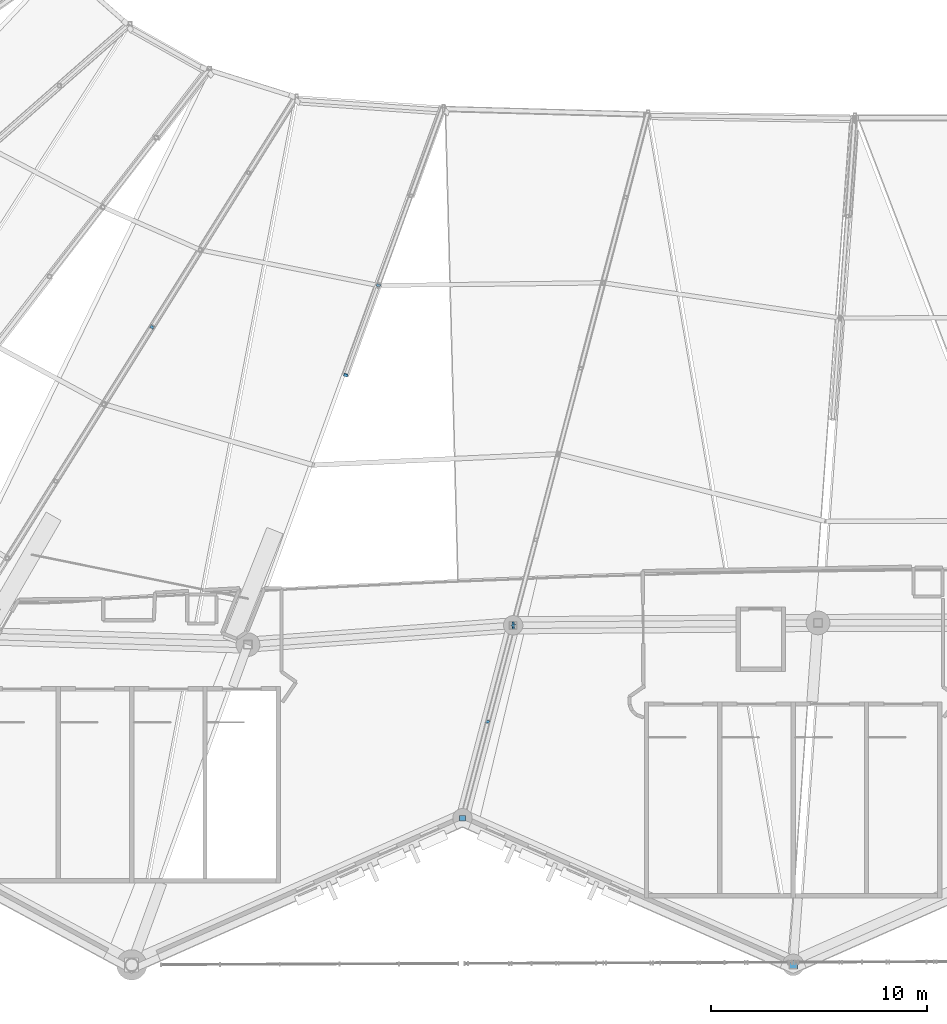
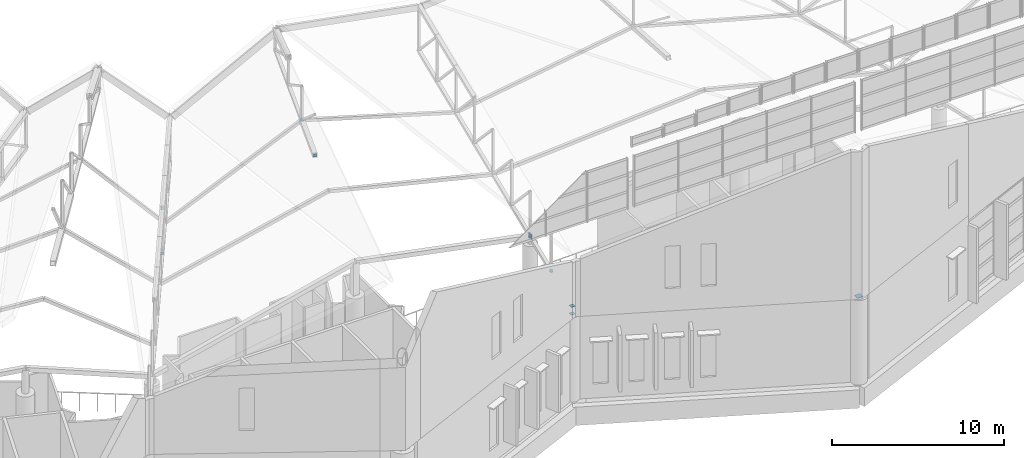
# One storey, part 283 of 344: 12 discrete accessories.
"""IFC4 building model written with IfcOpenShell, lengths in metres."""

from ifc_helpers import new_model, si_unit, direction, frame, origin, origin_2d, place, context, subcontext, project, spatial, rectangle, extrude, material, material_profile, profile_set, type_object, element, save


model = new_model("IFC4")

# Units and contexts
model_context = context("Model", 3, precision=1e-05, world=origin(), true_north=direction((0.0, 1.0)))
body_context = subcontext(model_context, "Body", "Model", "MODEL_VIEW")
ifc_project = project(units=[si_unit("LENGTHUNIT", "METRE"), si_unit("AREAUNIT", "SQUARE_METRE"), si_unit("VOLUMEUNIT", "CUBIC_METRE"), si_unit("PLANEANGLEUNIT", "RADIAN"), si_unit("MASSUNIT", "GRAM", prefix="KILO")], contexts=[model_context])

# Site, building, storey
site_placement = place(None, origin())
site = spatial("IfcSite", under=ifc_project, at=site_placement, CompositionType="ELEMENT")
building_placement = place(site_placement, origin())
building = spatial("IfcBuilding", under=site, at=building_placement, Name="Meseta Stadium", CompositionType="ELEMENT")
storey_placement = place(building_placement, frame((0.0, 0.0, 24.0)))
storey = spatial("IfcBuildingStorey", under=building, at=storey_placement, Name="L04", CompositionType="ELEMENT", Elevation=24.0)

# Discrete accessories
ifc_material_1 = material(Name="Steel S355", Category="steel")
ifc_material_profile_1 = material_profile(ifc_material_1, rectangle(XDim=0.179931640625, YDim=0.179931640625, at=origin_2d()), Name="PL 180x180")
ifc_profile_set_1 = profile_set([ifc_material_profile_1], Name="Steel S355")
discrete_accessory_type_1 = type_object("IfcDiscreteAccessoryType", Name="End plate 180x180x20", PredefinedType="ANCHORPLATE", material=ifc_profile_set_1)
discrete_accessory_1_placement = place(storey_placement, frame((-37.3896484375, -75.82568359375, 4.683349609375), z_axis=(-0.389174620288, -0.620247051084, 0.681055585504), x_axis=(0.847063894508, -0.531491071064, 0.0)))
element("IfcDiscreteAccessory", 1, at=discrete_accessory_1_placement, inside=storey, type_object=discrete_accessory_type_1, Name="End plate of ROOF TRUSS RT-43 diagonal", PredefinedType="ANCHORPLATE", context=body_context, shape_type="SweptSolid", body=[
    extrude(rectangle(XDim=0.179931640625, YDim=0.179931640625, at=origin_2d()), origin(), (0.0, 0.0, 1.0), 0.02001953125),
])
discrete_accessory_2_placement = place(storey_placement, frame((-37.382080078125, -75.8134765625, 1.469482421875), z_axis=(-0.381670375162, -0.615597379294, 0.68946906481), x_axis=(0.849902691712, -0.526939668862, 0.0)))
element("IfcDiscreteAccessory", 2, at=discrete_accessory_2_placement, inside=storey, type_object=discrete_accessory_type_1, Name="End plate of ROOF TRUSS RT-43 diagonal", PredefinedType="ANCHORPLATE", context=body_context, shape_type="SweptSolid", body=[
    extrude(rectangle(XDim=0.179931640625, YDim=0.179931640625, at=origin_2d()), origin(), (0.0, 0.0, 1.0), 0.019775390625),
])
for number, where, z_axis, x_axis, name in (
    (3, (-26.895751953125, -73.88671875, 6.11328125), (-0.268672545331, -0.744955693871, 0.610619421206), (0.940690666396, -0.339265486241, 0.0), "End plate of ROOF TRUSS RT-44 diagonal"),
    (4, (-28.40673828125, -78.050048828125, 6.6484375), (-0.256269125106, -0.695587625287, 0.671181041944), (0.938343116817, -0.345705358827, 0.0), "End plate of ROOF TRUSS RT-44 diagonal"),
    (5, (-20.645751953125, -89.641357421875, 5.23486328125), (-0.194228544194, -0.740496324741, 0.643382052644), (0.967279624391, -0.253712688365, 0.0), "End plate of ROOF TRUSS RT-45 diagonal"),
    (6, (-21.82080078125, -94.11328125, 5.881103515625), (-0.194228544194, -0.740496324741, 0.643382052644), (0.967279624391, -0.253712688365, 0.0), "End plate of ROOF TRUSS RT-45 diagonal"),
):
    element("IfcDiscreteAccessory", number, at=place(storey_placement, frame(where, z_axis=z_axis, x_axis=x_axis)), inside=storey, type_object=discrete_accessory_type_1, Name=name, PredefinedType="ANCHORPLATE", context=body_context, shape_type="SweptSolid", body=[
        extrude(rectangle(XDim=0.179931640625, YDim=0.179931640625, at=origin_2d()), origin(), (0.0, 0.0, 1.0), 0.02001953125),
    ])
ifc_material_2 = material(Name="Steel S355", Category="steel")
ifc_material_profile_2 = material_profile(ifc_material_2, rectangle(XDim=0.260009765625, YDim=0.260009765625, at=origin_2d()), Name="PL 260x260")
ifc_profile_set_2 = profile_set([ifc_material_profile_2], Name="Steel S355")
discrete_accessory_type_2 = type_object("IfcDiscreteAccessoryType", Name="End plate 260x260x20", PredefinedType="ANCHORPLATE", material=ifc_profile_set_2)
for number, where, z_axis, x_axis, name in (
    (7, (-23.0, -98.60009765625, 6.520263671875), (0.0, 0.0, 1.0), (1.0, 0.0, 0.0), "End plate of ROOF TRUSS RT-45 post"),
    (8, (-23.0, -98.60009765625, 5.97998046875), (0.0, 0.0, 1.0), (1.0, 0.0, 0.0), "End plate of ROOF RIM POST RT-45"),
    (9, (-23.0, -98.60009765625, 6.540283203125), (0.0, 0.0, 1.0), (1.0, 0.0, 0.0), "End plate of ROOF RIM POST RT-45"),
):
    element("IfcDiscreteAccessory", number, at=place(storey_placement, frame(where, z_axis=z_axis, x_axis=x_axis)), inside=storey, type_object=discrete_accessory_type_2, Name=name, PredefinedType="ANCHORPLATE", context=body_context, shape_type="SweptSolid", body=[
        extrude(rectangle(XDim=0.260009765625, YDim=0.260009765625, at=origin_2d()), origin(), (0.0, 0.0, 1.0), 0.02001953125),
    ])
ifc_material_3 = material(Name="Steel S355", Category="steel")
ifc_material_profile_3 = material_profile(ifc_material_3, rectangle(XDim=0.340087890625, YDim=0.340087890625, at=origin_2d()), Name="PL 340x340")
ifc_profile_set_3 = profile_set([ifc_material_profile_3], Name="Steel S355")
discrete_accessory_type_3 = type_object("IfcDiscreteAccessoryType", Name="End plate 340x340x20", PredefinedType="ANCHORPLATE", material=ifc_profile_set_3)
discrete_accessory_3_placement = place(storey_placement, frame((-20.649658203125, -89.65625, 5.247802734375), z_axis=(0.96758462767, 0.072568847075, -0.241896156917), x_axis=(-0.074789948242, 0.997199309888, 0.0)))
element("IfcDiscreteAccessory", 10, at=discrete_accessory_3_placement, inside=storey, type_object=discrete_accessory_type_3, Name="End plate of ROOF PIVOT STRUT RT-44/45", PredefinedType="ANCHORPLATE", context=body_context, shape_type="SweptSolid", body=[
    extrude(rectangle(XDim=0.340087890625, YDim=0.340087890625, at=origin_2d()), origin(), (0.0, 0.0, 1.0), 0.020263671875),
])
discrete_accessory_4_placement = place(storey_placement, frame((-20.669189453125, -89.656494140625, 5.243408203125), z_axis=(0.97553721736, 0.012194215217, 0.219495873906), x_axis=(-0.012499023552, 0.999921884154, 0.0)))
element("IfcDiscreteAccessory", 11, at=discrete_accessory_4_placement, inside=storey, type_object=discrete_accessory_type_3, Name="End plate of ROOF PIVOT STRUT RT-45/46", PredefinedType="ANCHORPLATE", context=body_context, shape_type="SweptSolid", body=[
    extrude(rectangle(XDim=0.340087890625, YDim=0.340087890625, at=origin_2d()), origin(), (0.0, 0.0, 1.0), 0.02001953125),
])
ifc_material_4 = material(Name="Steel S355", Category="steel")
ifc_material_profile_4 = material_profile(ifc_material_4, rectangle(XDim=0.389892578125, YDim=0.389892578125, at=origin_2d()), Name="PL 390x390")
ifc_profile_set_4 = profile_set([ifc_material_profile_4], Name="Steel S355")
discrete_accessory_type_4 = type_object("IfcDiscreteAccessoryType", Name="End plate 390x390x20", PredefinedType="ANCHORPLATE", material=ifc_profile_set_4)
discrete_accessory_5_placement = place(storey_placement, frame((-7.666748046875, -105.39990234375, 5.97998046875), z_axis=(0.0, 0.0, 1.0), x_axis=(1.0, 0.0, 0.0)))
element("IfcDiscreteAccessory", 12, at=discrete_accessory_5_placement, inside=storey, type_object=discrete_accessory_type_4, Name="End plate of ROOF RIM POST RT-46", PredefinedType="ANCHORPLATE", context=body_context, shape_type="SweptSolid", body=[
    extrude(rectangle(XDim=0.389892578125, YDim=0.389892578125, at=origin_2d()), origin(), (0.0, 0.0, 1.0), 0.02001953125),
])

save(model, "model.ifc")
